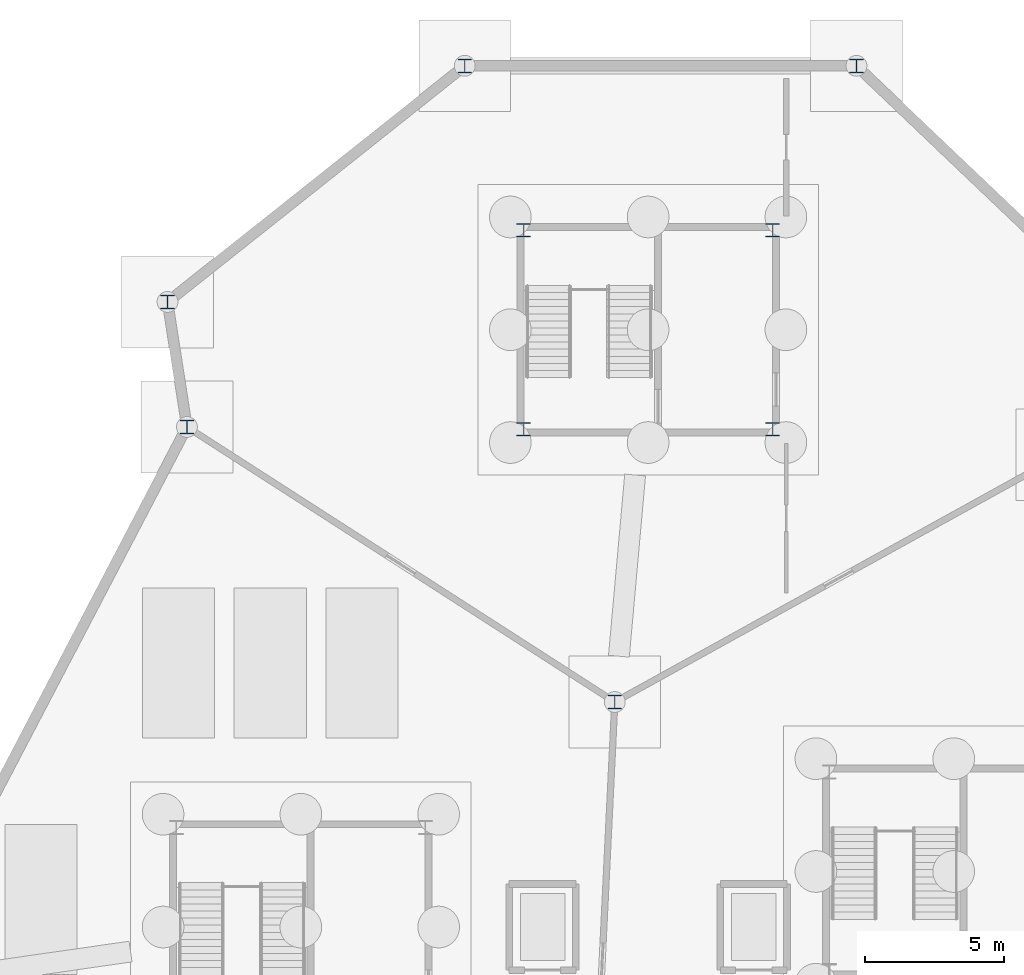
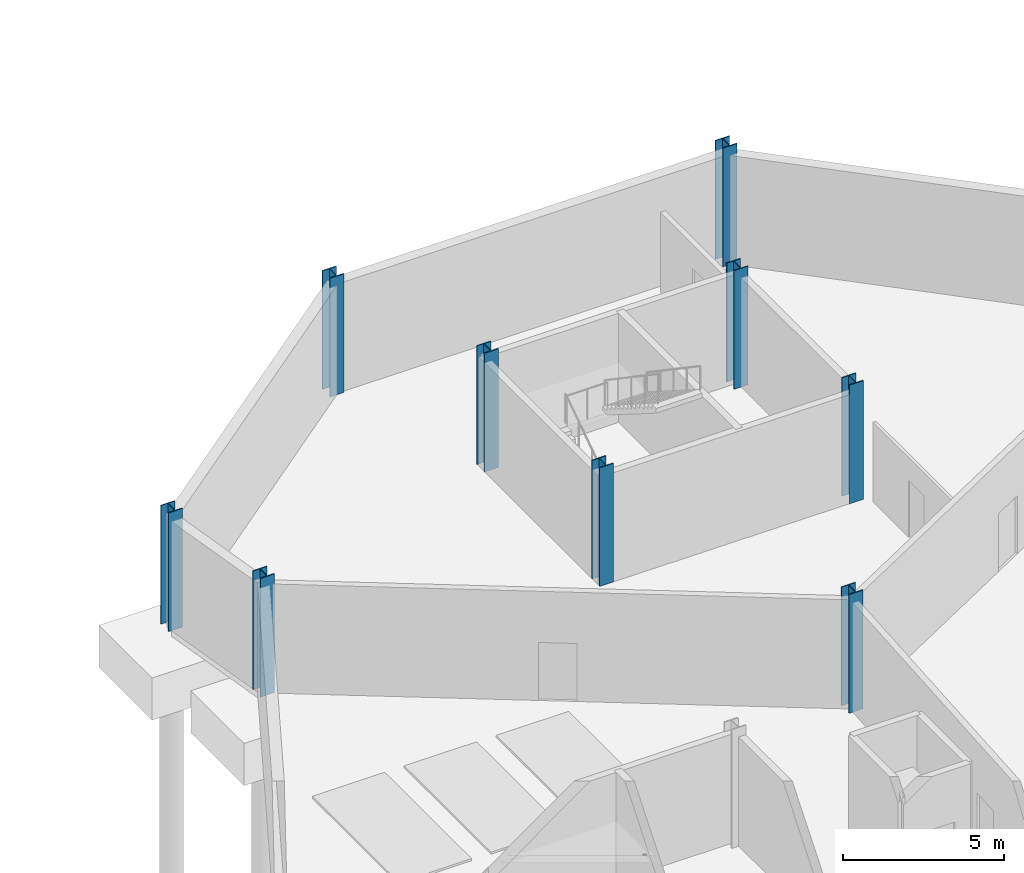
# One storey, part 19 of 37: 9 columns.
"""IFC4 building model written with IfcOpenShell, lengths in metres."""

from ifc_helpers import new_model, si_unit, direction, frame, origin, origin_2d, place, context, subcontext, project, spatial, i_section, extrude, material, material_profile, profile_set, type_object, element, save


model = new_model("IFC4")

# Units and contexts
model_context = context("Model", 3, precision=1e-05, world=origin(), true_north=direction((0.0, 1.0)))
body_context = subcontext(model_context, "Body", "Model", "MODEL_VIEW")
ifc_project = project(units=[si_unit("LENGTHUNIT", "METRE"), si_unit("AREAUNIT", "SQUARE_METRE"), si_unit("VOLUMEUNIT", "CUBIC_METRE"), si_unit("PLANEANGLEUNIT", "RADIAN"), si_unit("MASSUNIT", "GRAM", prefix="KILO")], contexts=[model_context])

# Site, building, storey
site_placement = place(None, origin())
site = spatial("IfcSite", under=ifc_project, at=site_placement, CompositionType="ELEMENT")
building_placement = place(site_placement, origin())
building = spatial("IfcBuilding", under=site, at=building_placement, Name="Tameran Prism Museum", CompositionType="ELEMENT")
storey_placement = place(building_placement, frame((0.0, 0.0, -4.5)))
storey = spatial("IfcBuildingStorey", under=building, at=storey_placement, Name="B1", CompositionType="ELEMENT", Elevation=-4.5)

# Columns
ifc_material = material(Name="Steel Grade 350 (350 MPa)", Category="steel")
ifc_material_profile = material_profile(ifc_material, i_section(OverallWidth=0.5, OverallDepth=0.5, WebThickness=0.02197265625, FlangeThickness=0.035888671875, at=origin_2d()))
ifc_profile_set = profile_set([ifc_material_profile])
column_type = type_object("IfcColumnType", Name="COL-WC500", PredefinedType="COLUMN", material=ifc_profile_set)
for number, where, z_axis, x_axis, name in (
    (1, (102.699951171875, 103.5, 0.0), (0.0, 0.0, 1.0), (1.0, 0.0, 0.0), "Column CV-42 B1"),
    (2, (103.39990234375, 99.0, 0.0), (0.0, 0.0, 1.0), (1.0, 0.0, 0.0), "Column CV-43 B1"),
    (3, (113.39990234375, 112.0, 0.0), (0.0, 0.0, 1.0), (1.0, 0.0, 0.0), "Column CV-45 B1"),
    (4, (118.800048828125, 89.10009765625, 0.0), (0.0, 0.0, 1.0), (1.0, 0.0, 0.0), "Column CV-47 B1"),
    (5, (127.5, 112.0, 0.0), (0.0, 0.0, 1.0), (1.0, 0.0, 0.0), "Column CV-51 B1"),
    (6, (115.52001953125, 98.919921875, 0.0), (0.0, 0.0, 1.0), (1.0, 0.0, 0.0), "Column CC-7-1 B1"),
    (7, (124.47998046875, 98.919921875, 0.0), (0.0, 0.0, 1.0), (1.0, 0.0, 0.0), "Column CC-7-2 B1"),
    (8, (124.47998046875, 106.080078125, 0.0), (0.0, 0.0, 1.0), (1.0, 0.0, 0.0), "Column CC-7-3 B1"),
    (9, (115.52001953125, 106.080078125, 0.0), (0.0, 0.0, 1.0), (1.0, 0.0, 0.0), "Column CC-7-4 B1"),
):
    element("IfcColumn", number, at=place(storey_placement, frame(where, z_axis=z_axis, x_axis=x_axis)), inside=storey, type_object=column_type, Name=name, PredefinedType="COLUMN", context=body_context, shape_type="SweptSolid", body=[
        extrude(i_section(OverallWidth=0.5, OverallDepth=0.5, WebThickness=0.02197265625, FlangeThickness=0.035888671875, at=origin_2d()), origin(), (0.0, 0.0, 1.0), 4.5),
    ])

save(model, "model.ifc")
